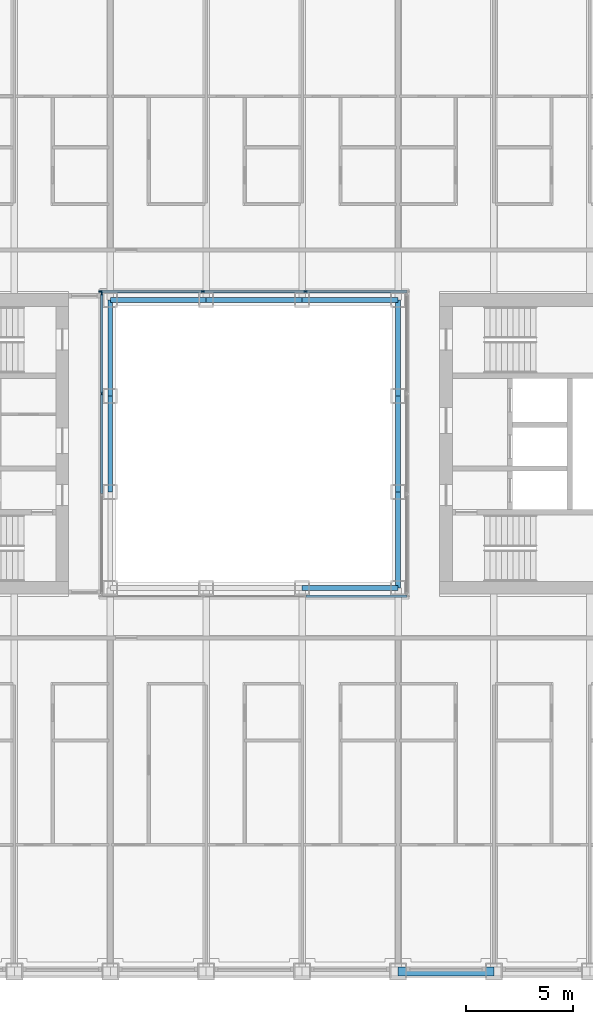
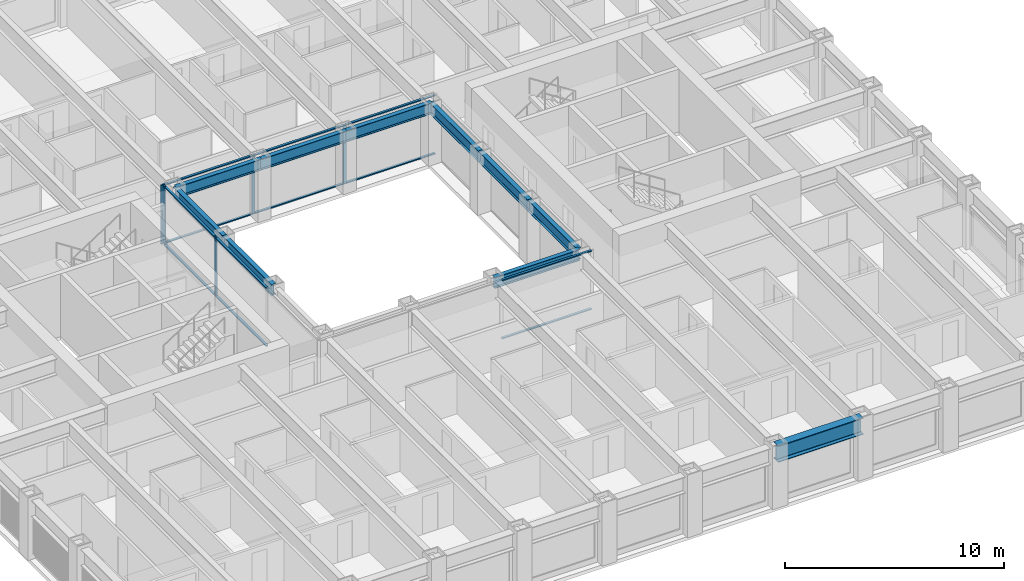
# One storey, part 4 of 21: 17 members, 10 beams, 3 elements without a shape of their own.
"""IFC4 building model written with IfcOpenShell, lengths in metres."""

from ifc_helpers import new_model, si_unit, direction, frame, origin, origin_2d, place, context, subcontext, project, spatial, rectangle, i_section, extrude, material, material_profile, profile_set, type_object, element, aggregate, save


model = new_model("IFC4")

# Units and contexts
model_context = context("Model", 3, precision=1e-05, world=origin(), true_north=direction((0.0, 1.0)))
body_context = subcontext(model_context, "Body", "Model", "MODEL_VIEW")
ifc_project = project(units=[si_unit("LENGTHUNIT", "METRE"), si_unit("AREAUNIT", "SQUARE_METRE"), si_unit("VOLUMEUNIT", "CUBIC_METRE"), si_unit("PLANEANGLEUNIT", "RADIAN"), si_unit("MASSUNIT", "GRAM", prefix="KILO")], contexts=[model_context])

# Site, building, storey
site_placement = place(None, origin())
site = spatial("IfcSite", under=ifc_project, at=site_placement, CompositionType="ELEMENT")
building_placement = place(site_placement, origin())
building = spatial("IfcBuilding", under=site, at=building_placement, Name="Msasa Ring Tower", CompositionType="ELEMENT")
storey_placement = place(building_placement, frame((0.0, 0.0, 93.0)))
storey = spatial("IfcBuildingStorey", under=building, at=storey_placement, Name="L24", CompositionType="ELEMENT", Elevation=93.0)

# Curtain wall, members
ifc_material_1 = material(Name="Aluminium curtain wall with clear glass", Category="aluminium")
curtain_wall_type = type_object("IfcCurtainWallType", Name="CW-W LIGHT WELL CURTAIN WALL", PredefinedType="NOTDEFINED", material=ifc_material_1)
curtain_wall_1_placement = place(storey_placement, origin())
curtain_wall_1 = element("IfcCurtainWall", 1, at=curtain_wall_1_placement, inside=storey, type_object=curtain_wall_type, Name="Light well curtain wall N L24", PredefinedType="NOTDEFINED")
ifc_material_2 = material(Name="Aluminium mullion", Category="aluminium")
ifc_material_profile_1 = material_profile(ifc_material_2, rectangle(XDim=0.06005859375, YDim=0.159912109375, at=origin_2d()), Name="AL 60x160")
ifc_profile_set_1 = profile_set([ifc_material_profile_1], Name="Aluminium mullion")
member_type_1 = type_object("IfcMemberType", Name="CW-W MULLION 60x160", PredefinedType="MULLION", material=ifc_profile_set_1)
member_1_placement = place(storey_placement, frame((-7.199951171875, 7.14990234375, 0.0), z_axis=(0.0, 0.0, 1.0), x_axis=(0.0, 1.0, 0.0)))
member_1 = element("IfcMember", 2, at=member_1_placement, type_object=member_type_1, Name="CW-W mullion 1", PredefinedType="MULLION", context=body_context, shape_type="SweptSolid", body=[
    extrude(rectangle(XDim=0.06005859375, YDim=0.159912109375, at=origin_2d()), origin(), (0.0, 0.0, 1.0), 3.300048828125),
])
member_2_placement = place(storey_placement, frame((-2.409912109375, 7.14990234375, 0.0), z_axis=(0.0, 0.0, 1.0), x_axis=(0.0, 1.0, 0.0)))
member_2 = element("IfcMember", 3, at=member_2_placement, type_object=member_type_1, Name="CW-W mullion 2", PredefinedType="MULLION", context=body_context, shape_type="SweptSolid", body=[
    extrude(rectangle(XDim=0.06005859375, YDim=0.159912109375, at=origin_2d()), origin(), (0.0, 0.0, 1.0), 3.300048828125),
])
member_3_placement = place(storey_placement, frame((2.409912109375, 7.14990234375, 0.0), z_axis=(0.0, 0.0, 1.0), x_axis=(0.0, 1.0, 0.0)))
member_3 = element("IfcMember", 4, at=member_3_placement, type_object=member_type_1, Name="CW-W mullion 3", PredefinedType="MULLION", context=body_context, shape_type="SweptSolid", body=[
    extrude(rectangle(XDim=0.06005859375, YDim=0.159912109375, at=origin_2d()), origin(), (0.0, 0.0, 1.0), 3.300048828125),
])

curtain_wall_2_placement = place(storey_placement, origin())
curtain_wall_2 = element("IfcCurtainWall", 5, at=curtain_wall_2_placement, inside=storey, type_object=curtain_wall_type, Name="Light well curtain wall W L24", PredefinedType="NOTDEFINED")
member_4_placement = place(storey_placement, frame((-7.14990234375, 2.356689453125, 0.0), z_axis=(0.0, 0.0, 1.0), x_axis=(-1.0, 0.0, 0.0)))
member_4 = element("IfcMember", 6, at=member_4_placement, type_object=member_type_1, Name="CW-W mullion 3", PredefinedType="MULLION", context=body_context, shape_type="SweptSolid", body=[
    extrude(rectangle(XDim=0.06005859375, YDim=0.159912109375, at=origin_2d()), origin(), (0.0, 0.0, 1.0), 3.300048828125),
])
member_5_placement = place(storey_placement, frame((-7.14990234375, 7.0400390625, 0.0), z_axis=(0.0, 0.0, 1.0), x_axis=(-1.0, 0.0, 0.0)))
member_5 = element("IfcMember", 7, at=member_5_placement, type_object=member_type_1, Name="CW-W mullion 4", PredefinedType="MULLION", context=body_context, shape_type="SweptSolid", body=[
    extrude(rectangle(XDim=0.06005859375, YDim=0.159912109375, at=origin_2d()), origin(), (0.0, 0.0, 1.0), 3.300048828125),
])

# Member
ifc_material_3 = material(Name="Aluminium transom", Category="aluminium")
ifc_material_profile_2 = material_profile(ifc_material_3, rectangle(XDim=0.1201171875, YDim=0.06005859375, at=origin_2d()), Name="AL 60x120")
ifc_profile_set_2 = profile_set([ifc_material_profile_2], Name="Aluminium transom")
member_type_2 = type_object("IfcMemberType", Name="CW-W TRANSOM 60x120", PredefinedType="USERDEFINED", material=ifc_profile_set_2)
member_6_placement = place(storey_placement, frame((-7.169921875, 7.14990234375, 0.030029296875), z_axis=(1.0, 0.0, 0.0), x_axis=(0.0, 1.0, 0.0)))
member_6 = element("IfcMember", 8, at=member_6_placement, type_object=member_type_2, Name="CW-W transom 1.1", ObjectType="TRANSOM", PredefinedType="USERDEFINED", context=body_context, shape_type="SweptSolid", body=[
    extrude(rectangle(XDim=0.1201171875, YDim=0.06005859375, at=origin_2d()), origin(), (0.0, 0.0, 1.0), 4.72998046875),
])

member_7_placement = place(storey_placement, frame((-7.169921875, 7.14990234375, 3.27001953125), z_axis=(1.0, 0.0, 0.0), x_axis=(0.0, 1.0, 0.0)))
member_7 = element("IfcMember", 9, at=member_7_placement, type_object=member_type_2, Name="CW-W transom 1.2", ObjectType="TRANSOM", PredefinedType="USERDEFINED", context=body_context, shape_type="SweptSolid", body=[
    extrude(rectangle(XDim=0.1201171875, YDim=0.06005859375, at=origin_2d()), origin(), (0.0, 0.0, 1.0), 4.72998046875),
])

member_8_placement = place(storey_placement, frame((-2.3798828125, 7.14990234375, 0.030029296875), z_axis=(1.0, 0.0, 0.0), x_axis=(0.0, 1.0, 0.0)))
member_8 = element("IfcMember", 10, at=member_8_placement, type_object=member_type_2, Name="CW-W transom 2.1", ObjectType="TRANSOM", PredefinedType="USERDEFINED", context=body_context, shape_type="SweptSolid", body=[
    extrude(rectangle(XDim=0.1201171875, YDim=0.06005859375, at=origin_2d()), origin(), (0.0, 0.0, 1.0), 4.759765625),
])

member_9_placement = place(storey_placement, frame((-2.3798828125, 7.14990234375, 3.27001953125), z_axis=(1.0, 0.0, 0.0), x_axis=(0.0, 1.0, 0.0)))
member_9 = element("IfcMember", 11, at=member_9_placement, type_object=member_type_2, Name="CW-W transom 2.2", ObjectType="TRANSOM", PredefinedType="USERDEFINED", context=body_context, shape_type="SweptSolid", body=[
    extrude(rectangle(XDim=0.1201171875, YDim=0.06005859375, at=origin_2d()), origin(), (0.0, 0.0, 1.0), 4.759765625),
])

member_10_placement = place(storey_placement, frame((2.43994140625, 7.14990234375, 0.030029296875), z_axis=(1.0, 0.0, 0.0), x_axis=(0.0, 1.0, 0.0)))
member_10 = element("IfcMember", 12, at=member_10_placement, type_object=member_type_2, Name="CW-W transom 3.1", ObjectType="TRANSOM", PredefinedType="USERDEFINED", context=body_context, shape_type="SweptSolid", body=[
    extrude(rectangle(XDim=0.1201171875, YDim=0.06005859375, at=origin_2d()), origin(), (0.0, 0.0, 1.0), 4.72998046875),
])

member_11_placement = place(storey_placement, frame((2.43994140625, 7.14990234375, 3.27001953125), z_axis=(1.0, 0.0, 0.0), x_axis=(0.0, 1.0, 0.0)))
member_11 = element("IfcMember", 13, at=member_11_placement, type_object=member_type_2, Name="CW-W transom 3.2", ObjectType="TRANSOM", PredefinedType="USERDEFINED", context=body_context, shape_type="SweptSolid", body=[
    extrude(rectangle(XDim=0.1201171875, YDim=0.06005859375, at=origin_2d()), origin(), (0.0, 0.0, 1.0), 4.72998046875),
])

aggregate(curtain_wall_1, [member_1, member_2, member_3, member_6, member_7, member_8, member_9, member_10, member_11])

# Curtain wall, members
curtain_wall_3_placement = place(storey_placement, origin())
curtain_wall_3 = element("IfcCurtainWall", 14, at=curtain_wall_3_placement, inside=storey, type_object=curtain_wall_type, Name="Light well curtain wall S L24", PredefinedType="NOTDEFINED")
member_12_placement = place(storey_placement, frame((2.43994140625, -7.14990234375, 0.030029296875), z_axis=(1.0, 0.0, 0.0), x_axis=(0.0, 1.0, 0.0)))
member_12 = element("IfcMember", 15, at=member_12_placement, type_object=member_type_2, Name="CW-W transom 3.1", ObjectType="TRANSOM", PredefinedType="USERDEFINED", context=body_context, shape_type="SweptSolid", body=[
    extrude(rectangle(XDim=0.1201171875, YDim=0.06005859375, at=origin_2d()), origin(), (0.0, 0.0, 1.0), 4.72998046875),
])
member_13_placement = place(storey_placement, frame((2.43994140625, -7.14990234375, 3.27001953125), z_axis=(1.0, 0.0, 0.0), x_axis=(0.0, 1.0, 0.0)))
member_13 = element("IfcMember", 16, at=member_13_placement, type_object=member_type_2, Name="CW-W transom 3.2", ObjectType="TRANSOM", PredefinedType="USERDEFINED", context=body_context, shape_type="SweptSolid", body=[
    extrude(rectangle(XDim=0.1201171875, YDim=0.06005859375, at=origin_2d()), origin(), (0.0, 0.0, 1.0), 4.72998046875),
])
aggregate(curtain_wall_3, [member_12, member_13])

# Member
member_14_placement = place(storey_placement, frame((-7.14990234375, -2.32666015625, 0.030029296875), z_axis=(0.0, 1.0, 0.0), x_axis=(-1.0, 0.0, 0.0)))
member_14 = element("IfcMember", 17, at=member_14_placement, type_object=member_type_2, Name="CW-W transom 2.1", ObjectType="TRANSOM", PredefinedType="USERDEFINED", context=body_context, shape_type="SweptSolid", body=[
    extrude(rectangle(XDim=0.1201171875, YDim=0.06005859375, at=origin_2d()), origin(), (0.0, 0.0, 1.0), 4.6533203125),
])

member_15_placement = place(storey_placement, frame((-7.14990234375, -2.32666015625, 3.27001953125), z_axis=(0.0, 1.0, 0.0), x_axis=(-1.0, 0.0, 0.0)))
member_15 = element("IfcMember", 18, at=member_15_placement, type_object=member_type_2, Name="CW-W transom 2.2", ObjectType="TRANSOM", PredefinedType="USERDEFINED", context=body_context, shape_type="SweptSolid", body=[
    extrude(rectangle(XDim=0.1201171875, YDim=0.06005859375, at=origin_2d()), origin(), (0.0, 0.0, 1.0), 4.6533203125),
])

member_16_placement = place(storey_placement, frame((-7.14990234375, 2.38671875, 0.030029296875), z_axis=(0.0, 1.0, 0.0), x_axis=(-1.0, 0.0, 0.0)))
member_16 = element("IfcMember", 19, at=member_16_placement, type_object=member_type_2, Name="CW-W transom 3.1", ObjectType="TRANSOM", PredefinedType="USERDEFINED", context=body_context, shape_type="SweptSolid", body=[
    extrude(rectangle(XDim=0.1201171875, YDim=0.06005859375, at=origin_2d()), origin(), (0.0, 0.0, 1.0), 4.623291015625),
])

member_17_placement = place(storey_placement, frame((-7.14990234375, 2.38671875, 3.27001953125), z_axis=(0.0, 1.0, 0.0), x_axis=(-1.0, 0.0, 0.0)))
member_17 = element("IfcMember", 20, at=member_17_placement, type_object=member_type_2, Name="CW-W transom 3.2", ObjectType="TRANSOM", PredefinedType="USERDEFINED", context=body_context, shape_type="SweptSolid", body=[
    extrude(rectangle(XDim=0.1201171875, YDim=0.06005859375, at=origin_2d()), origin(), (0.0, 0.0, 1.0), 4.623291015625),
])

aggregate(curtain_wall_2, [member_4, member_5, member_14, member_15, member_16, member_17])

# Beams
ifc_material_4 = material(Name="Steel S355", Category="steel")
ifc_material_profile_3 = material_profile(ifc_material_4, i_section(OverallWidth=0.230224609375, OverallDepth=0.6171875, WebThickness=0.01318359375, FlangeThickness=0.022216796875, FilletRadius=0.0126953125, at=origin_2d()), Name="UB 610x229x140")
ifc_profile_set_3 = profile_set([ifc_material_profile_3], Name="Steel S355")
beam_type_1 = type_object("IfcBeamType", Name="RB1 UB 610x229x140", PredefinedType="BEAM", material=ifc_profile_set_3)
for number, where, z_axis, x_axis, name in (
    (21, (2.25, -6.75, 2.991455078125), (1.0, 0.0, 0.0), (0.0, 1.0, 0.0), "Inner ring beam IR+2.25-6.75 under L25"),
    (22, (6.75, -6.75, 2.991455078125), (0.0, 1.0, 0.0), (-1.0, 0.0, 0.0), "Inner ring beam IR+6.75-6.75 under L25"),
    (23, (6.75, -2.25, 2.991455078125), (0.0, 1.0, 0.0), (-1.0, 0.0, 0.0), "Inner ring beam IR+6.75-2.25 under L25"),
    (24, (6.75, 2.25, 2.991455078125), (0.0, 1.0, 0.0), (-1.0, 0.0, 0.0), "Inner ring beam IR+6.75+2.25 under L25"),
    (25, (6.75, 6.75, 2.991455078125), (-1.0, 0.0, 0.0), (0.0, -1.0, 0.0), "Inner ring beam IR+6.75+6.75 under L25"),
    (26, (2.25, 6.75, 2.991455078125), (-1.0, 0.0, 0.0), (0.0, -1.0, 0.0), "Inner ring beam IR+2.25+6.75 under L25"),
    (27, (-2.25, 6.75, 2.991455078125), (-1.0, 0.0, 0.0), (0.0, -1.0, 0.0), "Inner ring beam IR-2.25+6.75 under L25"),
    (28, (-6.75, 6.75, 2.991455078125), (0.0, -1.0, 0.0), (1.0, 0.0, 0.0), "Inner ring beam IR-6.75+6.75 under L25"),
    (29, (-6.75, 2.25, 2.991455078125), (0.0, -1.0, 0.0), (1.0, 0.0, 0.0), "Inner ring beam IR-6.75+2.25 under L25"),
):
    element("IfcBeam", number, at=place(storey_placement, frame(where, z_axis=z_axis, x_axis=x_axis)), inside=storey, type_object=beam_type_1, Name=name, PredefinedType="BEAM", context=body_context, shape_type="SweptSolid", body=[
        extrude(i_section(OverallWidth=0.230224609375, OverallDepth=0.6171875, WebThickness=0.01318359375, FlangeThickness=0.022216796875, FilletRadius=0.0126953125, at=origin_2d()), origin(), (0.0, 0.0, 1.0), 4.5),
    ])
ifc_material_5 = material(Name="Steel S355", Category="steel")
ifc_material_profile_4 = material_profile(ifc_material_5, i_section(OverallWidth=0.42041015625, OverallDepth=0.9208984375, WebThickness=0.021484375, FlangeThickness=0.03662109375, FilletRadius=0.024169921875, at=origin_2d()), Name="UB 914x419x388")
ifc_profile_set_4 = profile_set([ifc_material_profile_4], Name="Steel S355")
beam_type_2 = type_object("IfcBeamType", Name="SB1 UB 914x419x388", PredefinedType="SPANDREL", material=ifc_profile_set_4)
beam_placement = place(storey_placement, frame((6.75, -24.75, 2.839599609375), z_axis=(1.0, 0.0, 0.0), x_axis=(0.0, 1.0, 0.0)))
element("IfcBeam", 30, at=beam_placement, inside=storey, type_object=beam_type_2, Name="Spandrel S+6.75 to S+11.25 under L25", PredefinedType="SPANDREL", context=body_context, shape_type="SweptSolid", body=[
    extrude(i_section(OverallWidth=0.42041015625, OverallDepth=0.9208984375, WebThickness=0.021484375, FlangeThickness=0.03662109375, FilletRadius=0.024169921875, at=origin_2d()), origin(), (0.0, 0.0, 1.0), 4.5),
])

save(model, "model.ifc")
